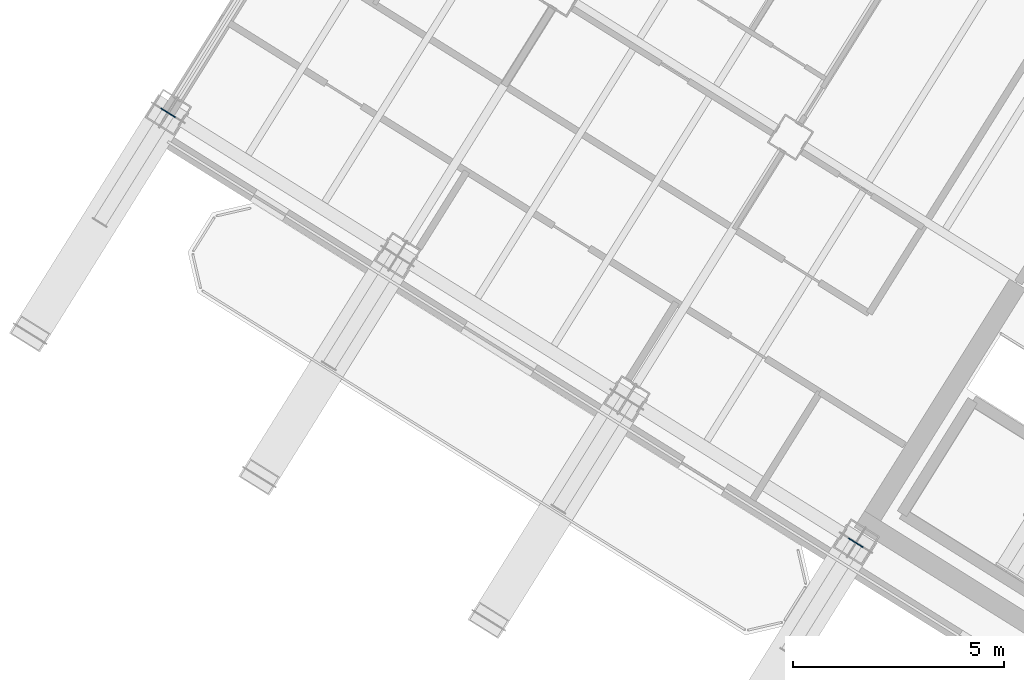
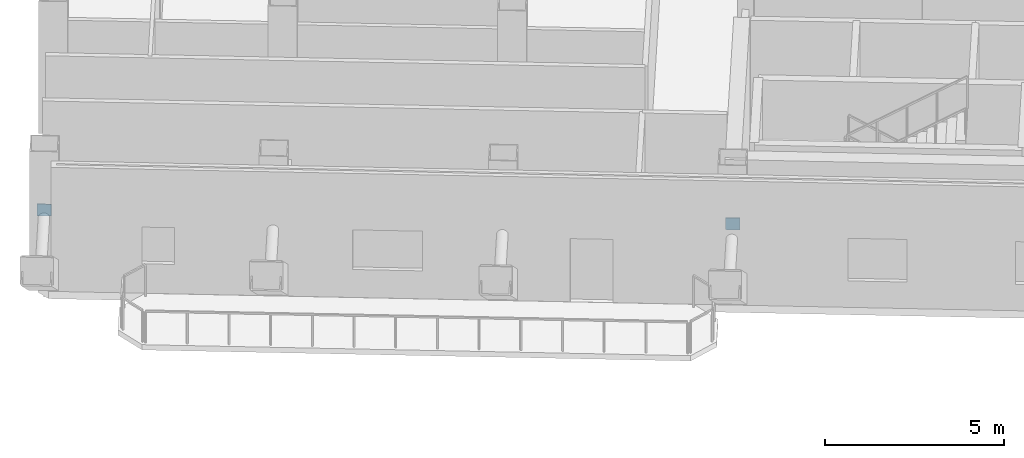
# One storey, part 18 of 34: 2 plates.
"""IFC4 building model written with IfcOpenShell, lengths in metres."""

import ifcopenshell
import ifcopenshell.guid

model = None  # the IFC model being written
_history = None  # IfcOwnerHistory: only IFC2X3 demands one
_inside = {}  # id of a spatial element -> (the spatial element, [elements in it])
_under = {}  # id of a project, library or spatial element -> (it, [spatial elements below it])
_declared = {}  # id of a project -> (the project, [libraries it declares])
_typed = {}  # id of a type object -> (the type object, [elements of that type])
_made_of = {}  # id of a material, layer set ... -> (it, [elements and type objects made of it])


def new_model(schema):
    """Start an empty IFC model of exactly this schema.

    Asked for "IFC4X3", IfcOpenShell would pick the latest addendum, in which some entities
    have other attributes; the version numbers below select the first issue.
    IFC2X3 requires an IfcOwnerHistory on every rooted entity: one is made here for all.
    """
    global model, _history
    if schema == "IFC4X3":
        model = ifcopenshell.file(schema_version=(4, 3, 0, 0))
    else:
        model = ifcopenshell.file(schema=schema)
    _inside.clear()
    _under.clear()
    _declared.clear()
    _typed.clear()
    _made_of.clear()
    _history = None
    if model.schema == "IFC2X3":
        org = make("IfcOrganization", Name="unknown")
        user = make(
            "IfcPersonAndOrganization",
            ThePerson=make("IfcPerson", FamilyName="unknown"),
            TheOrganization=org,
        )
        app = make(
            "IfcApplication",
            ApplicationDeveloper=org,
            Version="unknown",
            ApplicationFullName="unknown",
            ApplicationIdentifier="unknown",
        )
        _history = make(
            "IfcOwnerHistory",
            OwningUser=user,
            OwningApplication=app,
            ChangeAction="ADDED",
            CreationDate=0,
        )
    return model


def make(cls, **values):
    """One entity of the class cls with the attributes given. An attribute that is None is left unset."""
    return model.create_entity(
        cls, **{name: value for name, value in values.items() if value is not None}
    )


def rooted(cls, **values):
    """An entity with a GlobalId (a new one), such as an element, a storey or a relation."""
    return make(cls, GlobalId=ifcopenshell.guid.new(), OwnerHistory=_history, **values)


def si_unit(unit_type, name, prefix=None):
    """IfcSIUnit, for example si_unit("LENGTHUNIT", "METRE", prefix="MILLI")."""
    return make("IfcSIUnit", UnitType=unit_type, Prefix=prefix, Name=name)


def assignment(units):
    """IfcUnitAssignment: the units of a project."""
    return None if units is None else make("IfcUnitAssignment", Units=units)


def point(xyz):
    """IfcCartesianPoint."""
    return None if xyz is None else make("IfcCartesianPoint", Coordinates=xyz)


def direction(xyz):
    """IfcDirection."""
    return None if xyz is None else make("IfcDirection", DirectionRatios=xyz)


def frame(location, z_axis=None, x_axis=None):
    """IfcAxis2Placement3D, a coordinate frame: its origin and axes. An axis left out is left unset."""
    return make(
        "IfcAxis2Placement3D",
        Location=point(location),
        Axis=direction(z_axis),
        RefDirection=direction(x_axis),
    )


def frame_2d(location, x_axis=None):
    """IfcAxis2Placement2D, a coordinate frame in the plane: its origin and x axis."""
    return make(
        "IfcAxis2Placement2D", Location=point(location), RefDirection=direction(x_axis)
    )


def origin():
    """The frame at (0, 0, 0) with its axes left unset."""
    return frame((0.0, 0.0, 0.0))


def origin_2d():
    """The frame at (0, 0) in the plane with its x axis left unset."""
    return frame_2d((0.0, 0.0))


def place(relative_to, where):
    """IfcLocalPlacement: puts the frame where relative to a parent placement (None: the world)."""
    return make(
        "IfcLocalPlacement", PlacementRelTo=relative_to, RelativePlacement=where
    )


def context(
    kind, dimensions, precision=None, world=None, true_north=None, identifier=None
):
    """IfcGeometricRepresentationContext, for example the 3D "Model" context."""
    return make(
        "IfcGeometricRepresentationContext",
        ContextIdentifier=identifier,
        ContextType=kind,
        CoordinateSpaceDimension=dimensions,
        Precision=precision,
        WorldCoordinateSystem=world,
        TrueNorth=true_north,
    )


def subcontext(parent, identifier, kind, view, scale=None):
    """IfcGeometricRepresentationSubContext, for example "Body" below "Model"."""
    return make(
        "IfcGeometricRepresentationSubContext",
        ContextIdentifier=identifier,
        ContextType=kind,
        ParentContext=parent,
        TargetScale=scale,
        TargetView=view,
    )


def project(units=None, contexts=None):
    """IfcProject with its units and contexts."""
    return rooted(
        "IfcProject",
        Name="project",
        RepresentationContexts=contexts,
        UnitsInContext=assignment(units),
    )


def spatial(cls, under=None, at=None, **own):
    """A site, building, storey or space (cls), placed at a placement, below another one or the project."""
    s = rooted(cls, ObjectPlacement=at, **own)
    if under is not None:
        _under.setdefault(under.id(), (under, []))[1].append(s)
    return s


def profile(cls, at=None, kind="AREA", **sizes):
    """A parametric profile (cls). Its sizes go by their IFC names, for example OverallWidth=200.0."""
    return make(cls, ProfileType=kind, Position=at, **sizes)


def rectangle(**sizes):
    """IfcRectangleProfileDef."""
    return profile("IfcRectangleProfileDef", **sizes)


def extrude(swept, where, along, depth):
    """IfcExtrudedAreaSolid: the profile swept, set in the frame where, extruded along a direction by depth."""
    return make(
        "IfcExtrudedAreaSolid",
        SweptArea=swept,
        Position=where,
        ExtrudedDirection=direction(along),
        Depth=depth,
    )


def shape(context_of_items, identifier, shape_type, items):
    """IfcShapeRepresentation: the items that make up one representation, for example the "Body"."""
    return make(
        "IfcShapeRepresentation",
        ContextOfItems=context_of_items,
        RepresentationIdentifier=identifier,
        RepresentationType=shape_type,
        Items=items,
    )


def source(mapping_origin, context_of_items, identifier, shape_type, items):
    """IfcRepresentationMap: a shape defined once, which mapped items show again and again."""
    return make(
        "IfcRepresentationMap",
        MappingOrigin=mapping_origin,
        MappedRepresentation=shape(context_of_items, identifier, shape_type, items),
    )


def transform(
    local_origin,
    x_axis=None,
    y_axis=None,
    z_axis=None,
    scale=None,
    scale2=None,
    scale3=None,
    uniform=True,
):
    """IfcCartesianTransformationOperator3D, or its non-uniform kind. x_axis, y_axis, z_axis: its Axis1, 2, 3."""
    if uniform:
        return make(
            "IfcCartesianTransformationOperator3D",
            Axis1=direction(x_axis),
            Axis2=direction(y_axis),
            LocalOrigin=point(local_origin),
            Scale=scale,
            Axis3=direction(z_axis),
        )
    return make(
        "IfcCartesianTransformationOperator3DnonUniform",
        Axis1=direction(x_axis),
        Axis2=direction(y_axis),
        LocalOrigin=point(local_origin),
        Scale=scale,
        Axis3=direction(z_axis),
        Scale2=scale2,
        Scale3=scale3,
    )


def mapped(mapping_source, mapping_target):
    """IfcMappedItem: shows the shape of a source again, moved by a transform."""
    return make(
        "IfcMappedItem", MappingSource=mapping_source, MappingTarget=mapping_target
    )


def material(Name=None, Category=None):
    """IfcMaterial."""
    return make("IfcMaterial", Name=Name, Category=Category)


def layer(
    of_material, thickness, ventilated=None, Name=None, Category=None, Priority=None
):
    """IfcMaterialLayer: one layer of a wall or slab, of a material (None: an air gap)."""
    return make(
        "IfcMaterialLayer",
        Material=of_material,
        LayerThickness=thickness,
        IsVentilated=ventilated,
        Name=Name,
        Category=Category,
        Priority=Priority,
    )


def layer_set(layers, Name=None):
    """IfcMaterialLayerSet."""
    return make("IfcMaterialLayerSet", MaterialLayers=layers, LayerSetName=Name)


def made_of(thing, what):
    """Note that an element or type object is made of a material, layer set ...; save() writes the relation."""
    if what is not None:
        _made_of.setdefault(what.id(), (what, []))[1].append(thing)
    return thing


def type_object(cls, material=None, **own):
    """A type object (cls), such as IfcWallType, which elements share."""
    return made_of(rooted(cls, **own), material)


def element(
    cls,
    number,
    at=None,
    inside=None,
    cuts=None,
    type_object=None,
    material=None,
    context=None,
    identifier="Body",
    shape_type=None,
    held_by="IfcProductDefinitionShape",
    body=None,
    shapes=None,
    **own,
):
    """One element of the class cls, such as IfcWall. Its Tag is "e" and its number.

    at: its placement. inside: the storey or other place that contains it. cuts: it is an
    opening in that element (IfcRelVoidsElement). A single representation is given by context,
    identifier, shape_type and body (its items); several are given by shapes. held_by: the class
    of the entity that holds the representations. save() writes the other relations.
    """
    e = rooted(cls, Tag="e%d" % number, ObjectPlacement=at, **own)
    if body is not None:
        shapes = [shape(context, identifier, shape_type, body)]
    if shapes is not None:
        e.Representation = make(held_by, Representations=shapes)
    if inside is not None:
        _inside.setdefault(inside.id(), (inside, []))[1].append(e)
    if cuts is not None:
        rooted(
            "IfcRelVoidsElement", RelatingBuildingElement=cuts, RelatedOpeningElement=e
        )
    if type_object is not None:
        _typed.setdefault(type_object.id(), (type_object, []))[1].append(e)
    return made_of(e, material)


def aggregate(whole, parts):
    """IfcRelAggregates: a whole, such as a stair, and the parts it consists of."""
    return rooted("IfcRelAggregates", RelatingObject=whole, RelatedObjects=parts)


def save(model, path):
    """Write the relations noted so far, then the file.

    IfcRelAggregates (storeys below a building ...), IfcRelContainedInSpatialStructure (elements
    in a storey), IfcRelDefinesByType, IfcRelAssociatesMaterial and IfcRelDeclares: one each for
    every whole, place, type object, material and project.
    """
    for whole, parts in _under.values():
        aggregate(whole, parts)
    for where, things in _inside.values():
        rooted(
            "IfcRelContainedInSpatialStructure",
            RelatedElements=things,
            RelatingStructure=where,
        )
    for kind, things in _typed.values():
        rooted("IfcRelDefinesByType", RelatedObjects=things, RelatingType=kind)
    for what, things in _made_of.values():
        rooted("IfcRelAssociatesMaterial", RelatedObjects=things, RelatingMaterial=what)
    for by, libraries in _declared.values():
        rooted("IfcRelDeclares", RelatingContext=by, RelatedDefinitions=libraries)
    model.write(path)


model = new_model("IFC4")

# Units and contexts
model_context = context("Model", 3, precision=1e-05, world=origin(), true_north=direction((0.0, 1.0)))
body_context = subcontext(model_context, "Body", "Model", "MODEL_VIEW")
ifc_project = project(units=[si_unit("LENGTHUNIT", "METRE"), si_unit("AREAUNIT", "SQUARE_METRE"), si_unit("VOLUMEUNIT", "CUBIC_METRE"), si_unit("PLANEANGLEUNIT", "RADIAN"), si_unit("MASSUNIT", "GRAM", prefix="KILO")], contexts=[model_context])

# Site, building, storey
site_placement = place(None, origin())
site = spatial("IfcSite", under=ifc_project, at=site_placement, CompositionType="ELEMENT")
building_placement = place(site_placement, origin())
building = spatial("IfcBuilding", under=site, at=building_placement, Name="Tlacorven Tower", CompositionType="ELEMENT")
storey_placement = place(building_placement, frame((0.0, 0.0, 229.199951171875)))
storey = spatial("IfcBuildingStorey", under=building, at=storey_placement, Name="L58", CompositionType="ELEMENT", Elevation=229.199951171875)

# Plates
ifc_material = material(Name="Steel S460M", Category="steel")
ifc_layer = layer(ifc_material, 0.02392578125)
ifc_layer_set = layer_set([ifc_layer], Name="Steel S460M")
plate_type = type_object("IfcPlateType", Name="PL-CAP-END1", PredefinedType="USERDEFINED", material=ifc_layer_set)
shared_shape = source(origin(), body_context, "Body", "SweptSolid", [
    extrude(rectangle(XDim=0.02392578125, YDim=0.40380859375, at=origin_2d()), origin(), (0.0, 0.0, 1.0), 0.40380859375),
])
for number, where, z_axis, x_axis, name in (
    (1, (22.180419921875, 18.852783203125, 2.048095703125), (0.0, 0.0, 1.0), (-0.529920124392, -0.848047558669, 0.0), "L58 hollow end cap plate SBR-L58-W3 1"),
    (2, (5.89794921875, 29.02734375, 2.048095703125), (0.0, 0.0, 1.0), (-0.529919419306, -0.848047999256, 0.0), "L58 hollow end cap plate SBR-L58-W6 1"),
):
    element("IfcPlate", number, at=place(storey_placement, frame(where, z_axis=z_axis, x_axis=x_axis)), inside=storey, type_object=plate_type, Name=name, ObjectType="END PLATE", PredefinedType="USERDEFINED", context=body_context, shape_type="MappedRepresentation", body=[
        mapped(shared_shape, transform((0.0, 0.0, 0.0), scale=1.0)),
    ])

save(model, "model.ifc")
